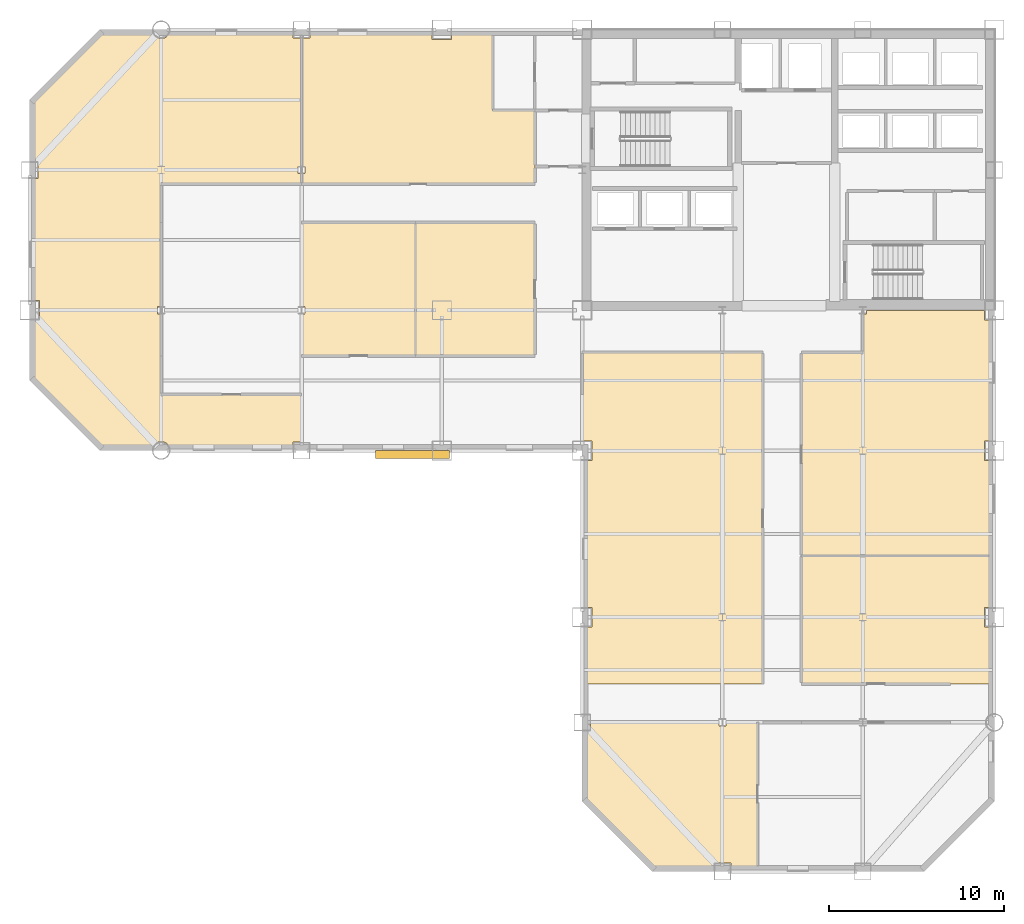
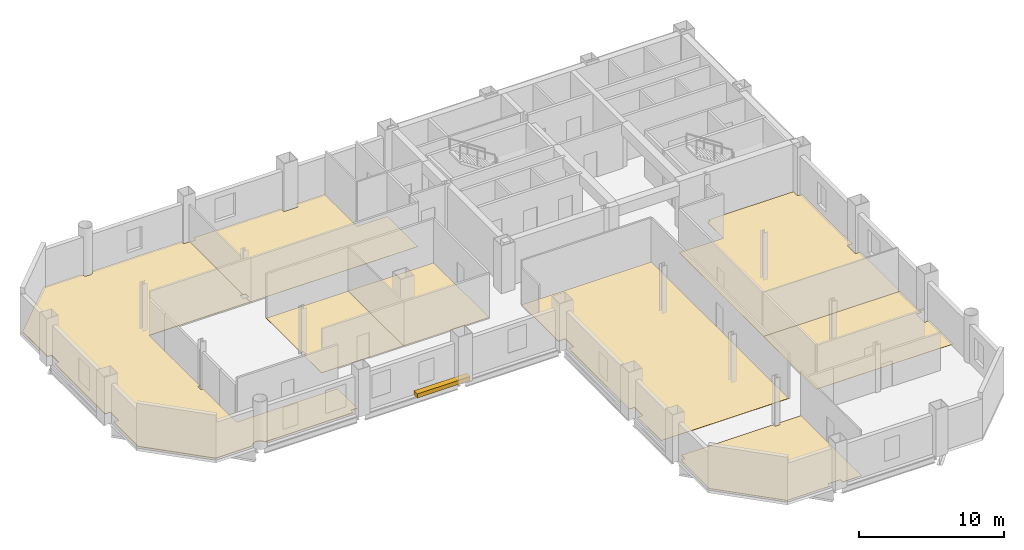
# One storey, part 8 of 9: 8 coverings, 1 shading device.
"""IFC4 building model written with IfcOpenShell, lengths in metres."""

from ifc_helpers import new_model, si_unit, direction, frame, origin, origin_2d, place, context, subcontext, project, spatial, polyline, rectangle, outline, extrude, material, layer, layer_set, type_object, element, save


model = new_model("IFC4")

# Units and contexts
model_context = context("Model", 3, precision=1e-05, world=origin(), true_north=direction((0.0, 1.0)))
body_context = subcontext(model_context, "Body", "Model", "MODEL_VIEW")
ifc_project = project(units=[si_unit("LENGTHUNIT", "METRE"), si_unit("AREAUNIT", "SQUARE_METRE"), si_unit("VOLUMEUNIT", "CUBIC_METRE"), si_unit("PLANEANGLEUNIT", "RADIAN"), si_unit("MASSUNIT", "GRAM", prefix="KILO")], contexts=[model_context])

# Site, building, storey
site_placement = place(None, origin())
site = spatial("IfcSite", under=ifc_project, at=site_placement, CompositionType="ELEMENT")
building_placement = place(site_placement, origin())
building = spatial("IfcBuilding", under=site, at=building_placement, Name="Qianrong Seaharbour Tower", CompositionType="ELEMENT")
storey_placement = place(building_placement, frame((0.0, 0.0, 147.0)))
storey = spatial("IfcBuildingStorey", under=building, at=storey_placement, Name="L35", CompositionType="ELEMENT", Elevation=147.0)

# Coverings
ifc_material_1 = material(Name="Acoustic modular carpet tile flooring")
ifc_layer_1 = layer(ifc_material_1, 0.02001953125)
ifc_layer_set_1 = layer_set([ifc_layer_1], Name="Acoustic modular carpet tile flooring")
covering_type_1 = type_object("IfcCoveringType", Name="COV-FLOOR-CARPET-20", PredefinedType="FLOORING", material=ifc_layer_set_1)
covering_1_placement = place(storey_placement, origin())
element("IfcCovering", 1, at=covering_1_placement, inside=storey, type_object=covering_type_1, Name="L35 Corporate Archive Room Finish Flooring", PredefinedType="FLOORING", context=body_context, shape_type="SweptSolid", body=[
    extrude(outline(polyline([(24.5, 43.7900390625), (24.7099609375, 43.7900390625), (24.7099609375, 44.2099609375), (24.5, 44.2099609375), (24.5, 51.514892578125), (24.985107421875, 51.514892578125), (24.985107421875, 51.8349609375), (31.93994140625, 51.8349609375), (31.93994140625, 51.43994140625), (33.06005859375, 51.43994140625), (33.06005859375, 51.8349609375), (35.39990234375, 51.8349609375), (35.39990234375, 47.39990234375), (37.800048828125, 47.39990234375), (37.800048828125, 43.199951171875), (24.5, 43.199951171875), (24.5, 43.7900390625)])), origin(), (0.0, 0.0, 1.0), 0.02001953125),
])
covering_2_placement = place(storey_placement, origin())
element("IfcCovering", 2, at=covering_2_placement, inside=storey, type_object=covering_type_1, Name="L35 Project Library 1 Finish Flooring", PredefinedType="FLOORING", context=body_context, shape_type="SweptSolid", body=[
    extrude(outline(polyline([(24.5, 33.39990234375), (24.5, 35.7900390625), (24.7099609375, 35.7900390625), (24.7099609375, 36.2099609375), (24.5, 36.2099609375), (24.5, 41.0), (31.0, 41.0), (31.0, 33.39990234375), (24.5, 33.39990234375)])), origin(), (0.0, 0.0, 1.0), 0.02001953125),
])
covering_3_placement = place(storey_placement, origin())
element("IfcCovering", 3, at=covering_3_placement, inside=storey, type_object=covering_type_1, Name="L35 Digital Media Hall 2 Finish Flooring", PredefinedType="FLOORING", context=body_context, shape_type="SweptSolid", body=[
    extrude(outline(polyline([(31.0, 33.39990234375), (31.0, 41.0), (37.800048828125, 41.0), (37.800048828125, 33.39990234375), (31.0, 33.39990234375)])), origin(), (0.0, 0.0, 1.0), 0.02001953125),
])
covering_4_placement = place(storey_placement, origin())
element("IfcCovering", 4, at=covering_4_placement, inside=storey, type_object=covering_type_1, Name="L35 Staff Club Assembly Hall Finish Flooring", PredefinedType="FLOORING", context=body_context, shape_type="SweptSolid", body=[
    extrude(outline(polyline([(56.5, 33.60009765625), (56.5, 35.7900390625), (56.7099609375, 35.7900390625), (56.7099609375, 36.0), (63.43994140625, 36.0), (63.43994140625, 35.43994140625), (63.8349609375, 35.43994140625), (63.8349609375, 28.56005859375), (63.43994140625, 28.56005859375), (63.43994140625, 27.43994140625), (63.8349609375, 27.43994140625), (63.8349609375, 22.0), (53.0, 22.0), (53.0, 33.60009765625), (56.5, 33.60009765625)])), origin(), (0.0, 0.0, 1.0), 0.02001953125),
])
covering_5_placement = place(storey_placement, origin())
element("IfcCovering", 5, at=covering_5_placement, inside=storey, type_object=covering_type_1, Name="L35 Focus Room 1 Finish Flooring", PredefinedType="FLOORING", context=body_context, shape_type="SweptSolid", body=[
    extrude(outline(polyline([(63.8349609375, 22.0), (63.8349609375, 19.06005859375), (63.43994140625, 19.06005859375), (63.43994140625, 17.93994140625), (63.8349609375, 17.93994140625), (63.8349609375, 14.699951171875), (53.0, 14.699951171875), (53.0, 22.0), (63.8349609375, 22.0)])), origin(), (0.0, 0.0, 1.0), 0.02001953125),
])
covering_6_placement = place(storey_placement, origin())
element("IfcCovering", 6, at=covering_6_placement, inside=storey, type_object=covering_type_1, Name="L35 Wet Pantry Finish Flooring", PredefinedType="FLOORING", context=body_context, shape_type="SweptSolid", body=[
    extrude(outline(polyline([(50.800048828125, 14.699951171875), (40.6650390625, 14.699951171875), (40.6650390625, 17.93994140625), (41.06005859375, 17.93994140625), (41.06005859375, 19.06005859375), (40.6650390625, 19.06005859375), (40.6650390625, 27.43994140625), (41.06005859375, 27.43994140625), (41.06005859375, 28.56005859375), (40.5, 28.56005859375), (40.5, 33.60009765625), (50.800048828125, 33.60009765625), (50.800048828125, 14.699951171875)])), origin(), (0.0, 0.0, 1.0), 0.02001953125),
])
covering_7_placement = place(storey_placement, origin())
element("IfcCovering", 7, at=covering_7_placement, inside=storey, type_object=covering_type_1, Name="L35 Harbour Symposium Hall 1 Finish Flooring", PredefinedType="FLOORING", context=body_context, shape_type="SweptSolid", body=[
    extrude(outline(polyline([(48.985107421875, 4.1650390625), (48.985107421875, 4.485107421875), (48.014892578125, 4.485107421875), (48.014892578125, 4.1650390625), (44.568359375, 4.1650390625), (40.6650390625, 8.068359375), (40.6650390625, 12.014892578125), (40.985107421875, 12.014892578125), (40.985107421875, 12.5), (48.2900390625, 12.5), (48.2900390625, 12.2900390625), (48.7099609375, 12.2900390625), (48.7099609375, 12.5), (50.5, 12.5), (50.5, 4.1650390625), (48.985107421875, 4.1650390625)])), origin(), (0.0, 0.0, 1.0), 0.02001953125),
])
ifc_material_2 = material(Name="Calcium-sulphate raised access floor tile")
ifc_layer_2 = layer(ifc_material_2, 0.044921875)
ifc_layer_set_2 = layer_set([ifc_layer_2], Name="Calcium-sulphate raised access floor tile")
covering_type_2 = type_object("IfcCoveringType", Name="COV-FLOOR-RAISED-45", PredefinedType="FLOORING", material=ifc_layer_set_2)
covering_8_placement = place(storey_placement, origin())
element("IfcCovering", 8, at=covering_8_placement, inside=storey, type_object=covering_type_2, Name="L35 West Harbour Open-Plan Office Finish Flooring", PredefinedType="FLOORING", context=body_context, shape_type="SweptSolid", body=[
    extrude(outline(polyline([(9.1650390625, 32.068359375), (9.1650390625, 35.43994140625), (9.56005859375, 35.43994140625), (9.56005859375, 36.56005859375), (9.1650390625, 36.56005859375), (9.1650390625, 43.514892578125), (9.485107421875, 43.514892578125), (9.485107421875, 44.485107421875), (9.1650390625, 44.485107421875), (9.1650390625, 47.931640625), (13.068359375, 51.8349609375), (16.019775390625, 51.8349609375), (16.02880859375, 51.8046875), (16.075927734375, 51.716796875), (16.139404296875, 51.639404296875), (16.216796875, 51.575927734375), (16.3046875, 51.52880859375), (16.400390625, 51.499755859375), (16.5, 51.489990234375), (16.599609375, 51.499755859375), (16.6953125, 51.52880859375), (16.783203125, 51.575927734375), (16.860595703125, 51.639404296875), (16.924072265625, 51.716796875), (16.97119140625, 51.8046875), (16.980224609375, 51.8349609375), (24.014892578125, 51.8349609375), (24.014892578125, 51.514892578125), (24.5, 51.514892578125), (24.5, 44.2099609375), (24.2900390625, 44.2099609375), (24.2900390625, 43.7900390625), (24.5, 43.7900390625), (24.5, 43.199951171875), (16.5, 43.199951171875), (16.5, 36.2099609375), (16.2900390625, 36.2099609375), (16.2900390625, 35.7900390625), (16.5, 35.7900390625), (16.5, 31.199951171875), (24.5, 31.199951171875), (24.5, 28.485107421875), (24.014892578125, 28.485107421875), (24.014892578125, 28.1650390625), (16.980224609375, 28.1650390625), (16.97119140625, 28.1953125), (16.924072265625, 28.283203125), (16.860595703125, 28.360595703125), (16.783203125, 28.424072265625), (16.6953125, 28.47119140625), (16.599609375, 28.500244140625), (16.5, 28.510009765625), (16.400390625, 28.500244140625), (16.3046875, 28.47119140625), (16.216796875, 28.424072265625), (16.139404296875, 28.360595703125), (16.075927734375, 28.283203125), (16.02880859375, 28.1953125), (16.019775390625, 28.1650390625), (13.068359375, 28.1650390625), (9.1650390625, 32.068359375)])), origin(), (0.0, 0.0, 1.0), 0.044921875),
])

# Shading device
ifc_material_3 = material(Name="White architectural precast concrete C45/55", Category="concrete")
shading_device_type = type_object("IfcShadingDeviceType", Name="SHD-SUNSHADE-WHITE-320", PredefinedType="AWNING", material=ifc_material_3)
shading_device_placement = place(storey_placement, frame((30.824951171875, 27.780029296875, -0.02001953125), z_axis=(0.0, 0.0, 1.0), x_axis=(1.0, 0.0, 0.0)))
element("IfcShadingDevice", 9, at=shading_device_placement, inside=storey, type_object=shading_device_type, Name="L35 Climbing White Precast Ribbon Canopy Fin", PredefinedType="AWNING", context=body_context, shape_type="SweptSolid", body=[
    extrude(rectangle(XDim=4.199951171875, YDim=0.4599609375, at=origin_2d()), origin(), (0.0, 0.0, 1.0), 0.340087890625),
])

save(model, "model.ifc")
